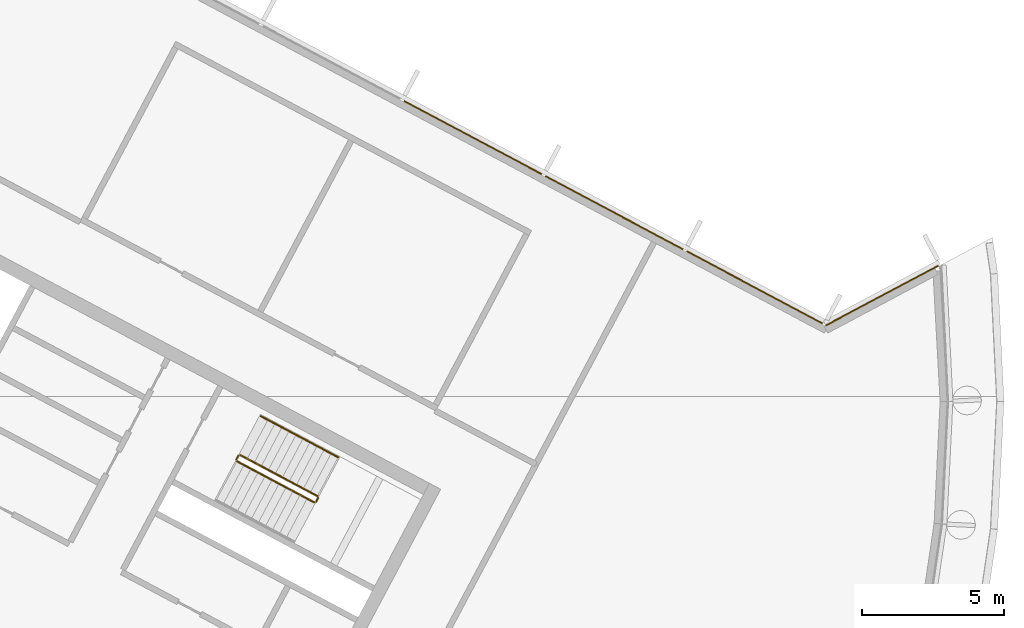
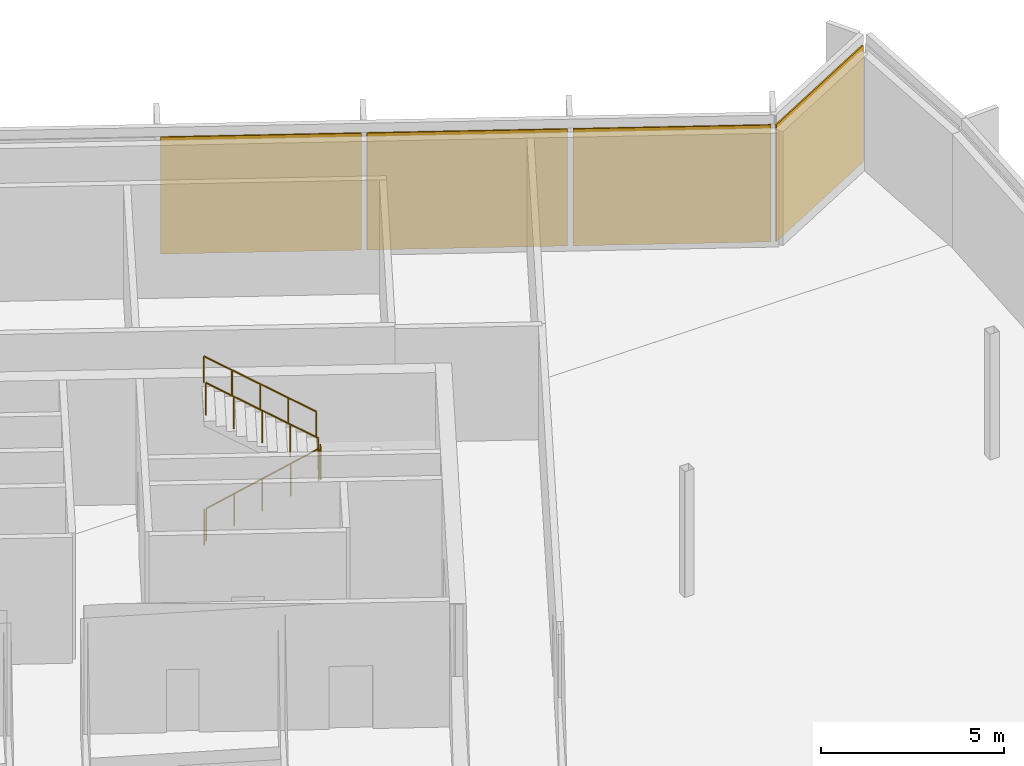
# One storey, part 14 of 15: 5 railings, 4 coverings, 2 elements without a shape of their own.
"""IFC4 building model written with IfcOpenShell, lengths in metres."""

from ifc_helpers import new_model, si_unit, direction, frame, origin, origin_2d, place, context, subcontext, project, spatial, polyline, rectangle, outline, extrude, material, layer, layer_set, type_object, element, aggregate, save


model = new_model("IFC4")

# Units and contexts
model_context = context("Model", 3, precision=1e-05, world=origin(), true_north=direction((0.0, 1.0)))
body_context = subcontext(model_context, "Body", "Model", "MODEL_VIEW")
ifc_project = project(units=[si_unit("LENGTHUNIT", "METRE"), si_unit("AREAUNIT", "SQUARE_METRE"), si_unit("VOLUMEUNIT", "CUBIC_METRE"), si_unit("PLANEANGLEUNIT", "RADIAN"), si_unit("MASSUNIT", "GRAM", prefix="KILO")], contexts=[model_context])

# Site, building, storey
site_placement = place(None, origin())
site = spatial("IfcSite", under=ifc_project, at=site_placement, CompositionType="ELEMENT")
building_placement = place(site_placement, origin())
building = spatial("IfcBuilding", under=site, at=building_placement, Name="Cormorant Relay Tower", CompositionType="ELEMENT")
storey_placement = place(building_placement, frame((0.0, 0.0, 332.39990234375)))
storey = spatial("IfcBuildingStorey", under=building, at=storey_placement, Name="C2", CompositionType="ELEMENT", Elevation=332.39990234375)

# Curtain wall, covering
ifc_material_1 = material(Name="Aluminium 6063-T6 anodised bronze", Category="aluminium")
ifc_layer_1 = layer(ifc_material_1, 0.199951171875)
ifc_layer_set_1 = layer_set([ifc_layer_1], Name="CW3 crown screen wall")
curtain_wall_type = type_object("IfcCurtainWallType", Name="CW3 crown screen wall", PredefinedType="NOTDEFINED", material=ifc_layer_set_1)
curtain_wall_1_placement = place(storey_placement, origin())
curtain_wall_1 = element("IfcCurtainWall", 1, at=curtain_wall_1_placement, inside=storey, type_object=curtain_wall_type, Name="CW3 curtain wall 13", PredefinedType="NOTDEFINED")
ifc_material_2 = material(Name="Perforated bronze anodised aluminium screen", Category="aluminium")
ifc_layer_2 = layer(ifc_material_2, 0.0400390625)
ifc_layer_set_2 = layer_set([ifc_layer_2], Name="CW3 perforated bronze screen panel 40")
covering_type = type_object("IfcCoveringType", Name="CW3 perforated bronze screen panel 40", PredefinedType="CLADDING", material=ifc_layer_set_2)
covering_1_placement = place(storey_placement, frame((1.97314453125, 24.855712890625, 0.000244140625), z_axis=(0.0, 0.0, 1.0), x_axis=(-0.882947592859, -0.469471562786, 0.0)))
covering_1 = element("IfcCovering", 2, at=covering_1_placement, type_object=covering_type, Name="CW3 panel X00", PredefinedType="CLADDING", context=body_context, shape_type="SweptSolid", body=[
    extrude(rectangle(XDim=4.490966796875, YDim=0.0400390625, at=origin_2d()), origin(), (0.0, 0.0, 1.0), 3.89990234375),
])
aggregate(curtain_wall_1, [covering_1])

# Curtain wall, coverings
curtain_wall_2_placement = place(storey_placement, origin())
curtain_wall_2 = element("IfcCurtainWall", 3, at=curtain_wall_2_placement, inside=storey, type_object=curtain_wall_type, Name="CW3 curtain wall 14", PredefinedType="NOTDEFINED")
covering_2_placement = place(storey_placement, frame((-2.51318359375, 25.142822265625, 0.000244140625), z_axis=(0.0, 0.0, 1.0), x_axis=(-0.882947592859, 0.469471562786, 0.0)))
covering_2 = element("IfcCovering", 4, at=covering_2_placement, type_object=covering_type, Name="CW3 panel X00", PredefinedType="CLADDING", context=body_context, shape_type="SweptSolid", body=[
    extrude(rectangle(XDim=5.4140625, YDim=0.0400390625, at=origin_2d()), origin(), (0.0, 0.0, 1.0), 3.89990234375),
])
covering_3_placement = place(storey_placement, frame((-7.458984375, 27.772705078125, 0.000244140625), z_axis=(0.0, 0.0, 1.0), x_axis=(-0.882947592859, 0.469471562786, 0.0)))
covering_3 = element("IfcCovering", 5, at=covering_3_placement, type_object=covering_type, Name="CW3 panel X01", PredefinedType="CLADDING", context=body_context, shape_type="SweptSolid", body=[
    extrude(rectangle(XDim=5.489013671875, YDim=0.0400390625, at=origin_2d()), origin(), (0.0, 0.0, 1.0), 3.89990234375),
])
covering_4_placement = place(storey_placement, frame((-12.43798828125, 30.419921875, 0.000244140625), z_axis=(0.0, 0.0, 1.0), x_axis=(-0.882947592859, 0.469471562786, 0.0)))
covering_4 = element("IfcCovering", 6, at=covering_4_placement, type_object=covering_type, Name="CW3 panel X02", PredefinedType="CLADDING", context=body_context, shape_type="SweptSolid", body=[
    extrude(rectangle(XDim=5.489013671875, YDim=0.0400390625, at=origin_2d()), origin(), (0.0, 0.0, 1.0), 3.89990234375),
])
aggregate(curtain_wall_2, [covering_2, covering_3, covering_4])

# Railings
ifc_material_3 = material(Name="Steel ASTM A572 Grade 50 (Fy 345 MPa)", Category="steel")
railing_type_1 = type_object("IfcRailingType", Name="Stair guard 1100", PredefinedType="GUARDRAIL", material=ifc_material_3)
railing_1_placement = place(storey_placement, frame((-20.75048828125, 19.017822265625, 0.175048828125)))
element("IfcRailing", 7, at=railing_1_placement, inside=storey, type_object=railing_type_1, Name="C2 A1 stair guard 1", PredefinedType="GUARDRAIL", context=body_context, shape_type="SweptSolid", body=[
    extrude(outline(polyline([(0.022216796875, 0.00927734375), (0.00927734375, 0.022216796875), (-0.00927734375, 0.022216796875), (-0.022216796875, 0.00927734375), (-0.022216796875, -0.00927734375), (-0.00927734375, -0.022216796875), (0.00927734375, -0.022216796875), (0.022216796875, -0.00927734375), (0.022216796875, 0.00927734375)])), frame((0.0, 0.0, 1.076171875), z_axis=(0.748747275397, -0.39806817173, 0.530018158408), x_axis=(0.469427602063, 0.882970965786, 0.0)), (0.0, 0.0, 1.0), 3.632080078125),
    extrude(outline(polyline([(0.019287109375, 0.008056640625), (0.008056640625, 0.019287109375), (-0.008056640625, 0.019287109375), (-0.019287109375, 0.008056640625), (-0.019287109375, -0.008056640625), (-0.008056640625, -0.019287109375), (0.008056640625, -0.019287109375), (0.019287109375, -0.008056640625), (0.019287109375, 0.008056640625)])), origin(), (0.0, 0.0, 1.0), 1.052001953125),
    extrude(outline(polyline([(0.019287109375, 0.008056640625), (0.008056640625, 0.019287109375), (-0.008056640625, 0.019287109375), (-0.019287109375, 0.008056640625), (-0.019287109375, -0.008056640625), (-0.008056640625, -0.019287109375), (0.008056640625, -0.019287109375), (0.019287109375, -0.008056640625), (0.019287109375, 0.008056640625)])), frame((0.679931640625, -0.361328125, 0.481201171875)), (0.0, 0.0, 1.0), 1.052001953125),
    extrude(outline(polyline([(0.019287109375, 0.008056640625), (0.008056640625, 0.019287109375), (-0.008056640625, 0.019287109375), (-0.019287109375, 0.008056640625), (-0.019287109375, -0.008056640625), (-0.008056640625, -0.019287109375), (0.008056640625, -0.019287109375), (0.019287109375, -0.008056640625), (0.019287109375, 0.008056640625)])), frame((1.35986328125, -0.722900390625, 0.96240234375)), (0.0, 0.0, 1.0), 1.052001953125),
    extrude(outline(polyline([(0.019287109375, 0.008056640625), (0.008056640625, 0.019287109375), (-0.008056640625, 0.019287109375), (-0.019287109375, 0.008056640625), (-0.019287109375, -0.008056640625), (-0.008056640625, -0.019287109375), (0.008056640625, -0.019287109375), (0.019287109375, -0.008056640625), (0.019287109375, 0.008056640625)])), frame((2.03955078125, -1.08447265625, 1.44384765625)), (0.0, 0.0, 1.0), 1.052001953125),
    extrude(outline(polyline([(0.019287109375, 0.008056640625), (0.008056640625, 0.019287109375), (-0.008056640625, 0.019287109375), (-0.019287109375, 0.008056640625), (-0.019287109375, -0.008056640625), (-0.008056640625, -0.019287109375), (0.008056640625, -0.019287109375), (0.019287109375, -0.008056640625), (0.019287109375, 0.008056640625)])), frame((2.719482421875, -1.44580078125, 1.925048828125)), (0.0, 0.0, 1.0), 1.052001953125),
])
railing_2_placement = place(storey_placement, frame((-17.96337890625, 17.592529296875, 2.10009765625)))
element("IfcRailing", 8, at=railing_2_placement, inside=storey, type_object=railing_type_1, Name="C2 A1 stair guard 2", PredefinedType="GUARDRAIL", context=body_context, shape_type="SweptSolid", body=[
    extrude(outline(polyline([(0.022216796875, 0.00927734375), (0.00927734375, 0.022216796875), (-0.00927734375, 0.022216796875), (-0.022216796875, 0.00927734375), (-0.022216796875, -0.00927734375), (-0.00927734375, -0.022216796875), (0.00927734375, -0.022216796875), (0.022216796875, -0.00927734375), (0.022216796875, 0.00927734375)])), frame((0.0, 0.0, 1.076171875), z_axis=(0.46856034887, 0.8834314911, 0.0), x_axis=(-0.8834314911, 0.46856034887, 0.0)), (0.0, 0.0, 1.0), 0.150146484375),
    extrude(outline(polyline([(0.019287109375, 0.008056640625), (0.008056640625, 0.019287109375), (-0.008056640625, 0.019287109375), (-0.019287109375, 0.008056640625), (-0.019287109375, -0.008056640625), (-0.008056640625, -0.019287109375), (0.008056640625, -0.019287109375), (0.019287109375, -0.008056640625), (0.019287109375, 0.008056640625)])), origin(), (0.0, 0.0, 1.0), 1.052001953125),
    extrude(outline(polyline([(0.019287109375, 0.008056640625), (0.008056640625, 0.019287109375), (-0.008056640625, 0.019287109375), (-0.019287109375, 0.008056640625), (-0.019287109375, -0.008056640625), (-0.008056640625, -0.019287109375), (0.008056640625, -0.019287109375), (0.019287109375, -0.008056640625), (0.019287109375, 0.008056640625)])), frame((0.0703125, 0.132568359375, 0.0)), (0.0, 0.0, 1.0), 1.052001953125),
])
railing_3_placement = place(storey_placement, frame((-17.913818359375, 17.792724609375, 2.275146484375)))
element("IfcRailing", 9, at=railing_3_placement, inside=storey, type_object=railing_type_1, Name="C2 A1 stair guard 3", PredefinedType="GUARDRAIL", context=body_context, shape_type="SweptSolid", body=[
    extrude(outline(polyline([(0.022216796875, 0.00927734375), (0.00927734375, 0.022216796875), (-0.00927734375, 0.022216796875), (-0.022216796875, 0.00927734375), (-0.022216796875, -0.00927734375), (-0.00927734375, -0.022216796875), (0.00927734375, -0.022216796875), (0.022216796875, -0.00927734375), (0.022216796875, 0.00927734375)])), frame((0.0, 0.0, 1.076171875), z_axis=(-0.748747275397, 0.39806817173, 0.530018158408), x_axis=(-0.469427602063, -0.882970965786, 0.0)), (0.0, 0.0, 1.0), 3.632080078125),
    extrude(outline(polyline([(0.019287109375, 0.008056640625), (0.008056640625, 0.019287109375), (-0.008056640625, 0.019287109375), (-0.019287109375, 0.008056640625), (-0.019287109375, -0.008056640625), (-0.008056640625, -0.019287109375), (0.008056640625, -0.019287109375), (0.019287109375, -0.008056640625), (0.019287109375, 0.008056640625)])), origin(), (0.0, 0.0, 1.0), 1.052001953125),
    extrude(outline(polyline([(0.019287109375, 0.008056640625), (0.008056640625, 0.019287109375), (-0.008056640625, 0.019287109375), (-0.019287109375, 0.008056640625), (-0.019287109375, -0.008056640625), (-0.008056640625, -0.019287109375), (0.008056640625, -0.019287109375), (0.019287109375, -0.008056640625), (0.019287109375, 0.008056640625)])), frame((-0.679931640625, 0.361328125, 0.481201171875)), (0.0, 0.0, 1.0), 1.052001953125),
    extrude(outline(polyline([(0.019287109375, 0.008056640625), (0.008056640625, 0.019287109375), (-0.008056640625, 0.019287109375), (-0.019287109375, 0.008056640625), (-0.019287109375, -0.008056640625), (-0.008056640625, -0.019287109375), (0.008056640625, -0.019287109375), (0.019287109375, -0.008056640625), (0.019287109375, 0.008056640625)])), frame((-1.35986328125, 0.722900390625, 0.96240234375)), (0.0, 0.0, 1.0), 1.052001953125),
    extrude(outline(polyline([(0.019287109375, 0.008056640625), (0.008056640625, 0.019287109375), (-0.008056640625, 0.019287109375), (-0.019287109375, 0.008056640625), (-0.019287109375, -0.008056640625), (-0.008056640625, -0.019287109375), (0.008056640625, -0.019287109375), (0.019287109375, -0.008056640625), (0.019287109375, 0.008056640625)])), frame((-2.03955078125, 1.08447265625, 1.44384765625)), (0.0, 0.0, 1.0), 1.052001953125),
    extrude(outline(polyline([(0.019287109375, 0.008056640625), (0.008056640625, 0.019287109375), (-0.008056640625, 0.019287109375), (-0.019287109375, 0.008056640625), (-0.019287109375, -0.008056640625), (-0.008056640625, -0.019287109375), (0.008056640625, -0.019287109375), (0.019287109375, -0.008056640625), (0.019287109375, 0.008056640625)])), frame((-2.719482421875, 1.44580078125, 1.925048828125)), (0.0, 0.0, 1.0), 1.052001953125),
])
railing_4_placement = place(storey_placement, frame((-20.771240234375, 19.08544921875, 0.0)))
element("IfcRailing", 10, at=railing_4_placement, inside=storey, type_object=railing_type_1, Name="C2 A1 stair guard 4", PredefinedType="GUARDRAIL", context=body_context, shape_type="SweptSolid", body=[
    extrude(outline(polyline([(0.022216796875, 0.00927734375), (0.00927734375, 0.022216796875), (-0.00927734375, 0.022216796875), (-0.022216796875, 0.00927734375), (-0.022216796875, -0.00927734375), (-0.00927734375, -0.022216796875), (0.00927734375, -0.022216796875), (0.022216796875, -0.00927734375), (0.022216796875, 0.00927734375)])), frame((0.0, 0.0, 1.076171875), z_axis=(0.469828648786, 0.882757634224, 0.0), x_axis=(-0.882757634224, 0.469828648786, 0.0)), (0.0, 0.0, 1.0), 0.150146484375),
    extrude(outline(polyline([(0.019287109375, 0.008056640625), (0.008056640625, 0.019287109375), (-0.008056640625, 0.019287109375), (-0.019287109375, 0.008056640625), (-0.019287109375, -0.008056640625), (-0.008056640625, -0.019287109375), (0.008056640625, -0.019287109375), (0.019287109375, -0.008056640625), (0.019287109375, 0.008056640625)])), origin(), (0.0, 0.0, 1.0), 1.052001953125),
    extrude(outline(polyline([(0.019287109375, 0.008056640625), (0.008056640625, 0.019287109375), (-0.008056640625, 0.019287109375), (-0.019287109375, 0.008056640625), (-0.019287109375, -0.008056640625), (-0.008056640625, -0.019287109375), (0.008056640625, -0.019287109375), (0.019287109375, -0.008056640625), (0.019287109375, 0.008056640625)])), frame((0.070556640625, 0.132568359375, 0.0)), (0.0, 0.0, 1.0), 1.052001953125),
])
ifc_material_4 = material(Name="Steel ASTM A572 Grade 50 (Fy 345 MPa)", Category="steel")
railing_type_2 = type_object("IfcRailingType", Name="Stair handrail 900", PredefinedType="HANDRAIL", material=ifc_material_4)
railing_5_placement = place(storey_placement, frame((-17.18603515625, 19.1611328125, 2.275146484375)))
element("IfcRailing", 11, at=railing_5_placement, inside=storey, type_object=railing_type_2, Name="C2 A1 stair handrail 2", PredefinedType="HANDRAIL", context=body_context, shape_type="SweptSolid", body=[
    extrude(outline(polyline([(0.022216796875, 0.00927734375), (0.00927734375, 0.022216796875), (-0.00927734375, 0.022216796875), (-0.022216796875, 0.00927734375), (-0.022216796875, -0.00927734375), (-0.00927734375, -0.022216796875), (0.00927734375, -0.022216796875), (0.022216796875, -0.00927734375), (0.022216796875, 0.00927734375)])), frame((0.0, 0.0, 0.8759765625), z_axis=(-0.748727239859, 0.398124736663, 0.530003975787), x_axis=(-0.469489399267, -0.882938108802, 0.0)), (0.0, 0.0, 1.0), 3.632080078125),
    extrude(outline(polyline([(0.019287109375, 0.008056640625), (0.008056640625, 0.019287109375), (-0.008056640625, 0.019287109375), (-0.019287109375, 0.008056640625), (-0.019287109375, -0.008056640625), (-0.008056640625, -0.019287109375), (0.008056640625, -0.019287109375), (0.019287109375, -0.008056640625), (0.019287109375, 0.008056640625)])), origin(), (0.0, 0.0, 1.0), 0.851806640625),
    extrude(outline(polyline([(0.019287109375, 0.008056640625), (0.008056640625, 0.019287109375), (-0.008056640625, 0.019287109375), (-0.019287109375, 0.008056640625), (-0.019287109375, -0.008056640625), (-0.008056640625, -0.019287109375), (0.008056640625, -0.019287109375), (0.019287109375, -0.008056640625), (0.019287109375, 0.008056640625)])), frame((-0.679931640625, 0.361572265625, 0.481201171875)), (0.0, 0.0, 1.0), 0.851806640625),
    extrude(outline(polyline([(0.019287109375, 0.008056640625), (0.008056640625, 0.019287109375), (-0.008056640625, 0.019287109375), (-0.019287109375, 0.008056640625), (-0.019287109375, -0.008056640625), (-0.008056640625, -0.019287109375), (0.008056640625, -0.019287109375), (0.019287109375, -0.008056640625), (0.019287109375, 0.008056640625)])), frame((-1.35986328125, 0.72314453125, 0.96240234375)), (0.0, 0.0, 1.0), 0.851806640625),
    extrude(outline(polyline([(0.019287109375, 0.008056640625), (0.008056640625, 0.019287109375), (-0.008056640625, 0.019287109375), (-0.019287109375, 0.008056640625), (-0.019287109375, -0.008056640625), (-0.008056640625, -0.019287109375), (0.008056640625, -0.019287109375), (0.019287109375, -0.008056640625), (0.019287109375, 0.008056640625)])), frame((-2.03955078125, 1.08447265625, 1.44384765625)), (0.0, 0.0, 1.0), 0.851806640625),
    extrude(outline(polyline([(0.019287109375, 0.008056640625), (0.008056640625, 0.019287109375), (-0.008056640625, 0.019287109375), (-0.019287109375, 0.008056640625), (-0.019287109375, -0.008056640625), (-0.008056640625, -0.019287109375), (0.008056640625, -0.019287109375), (0.019287109375, -0.008056640625), (0.019287109375, 0.008056640625)])), frame((-2.719482421875, 1.446044921875, 1.925048828125)), (0.0, 0.0, 1.0), 0.851806640625),
])

save(model, "model.ifc")
